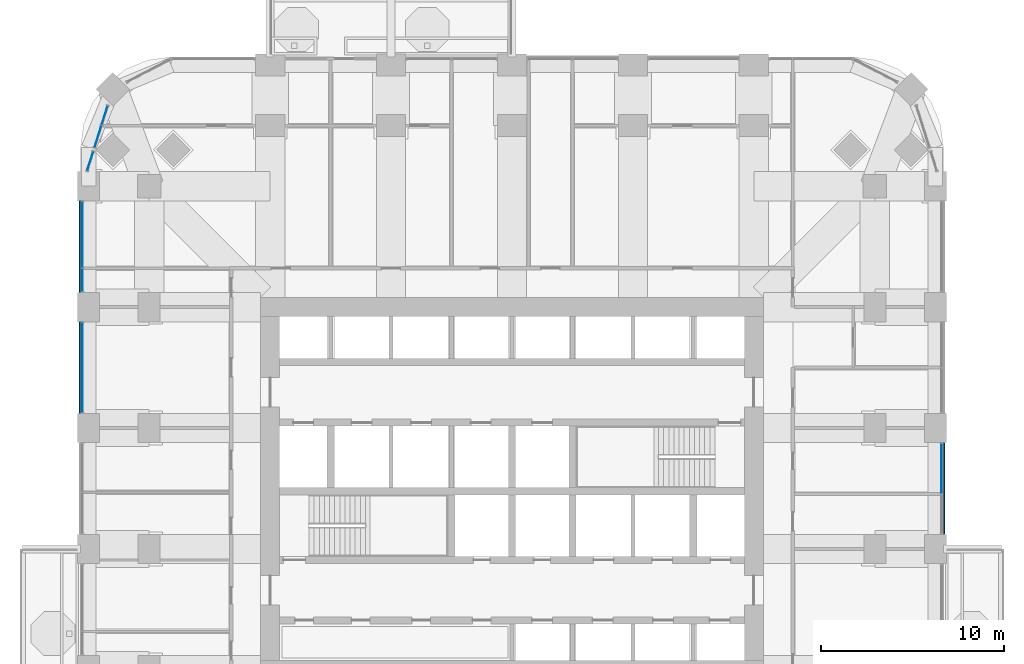
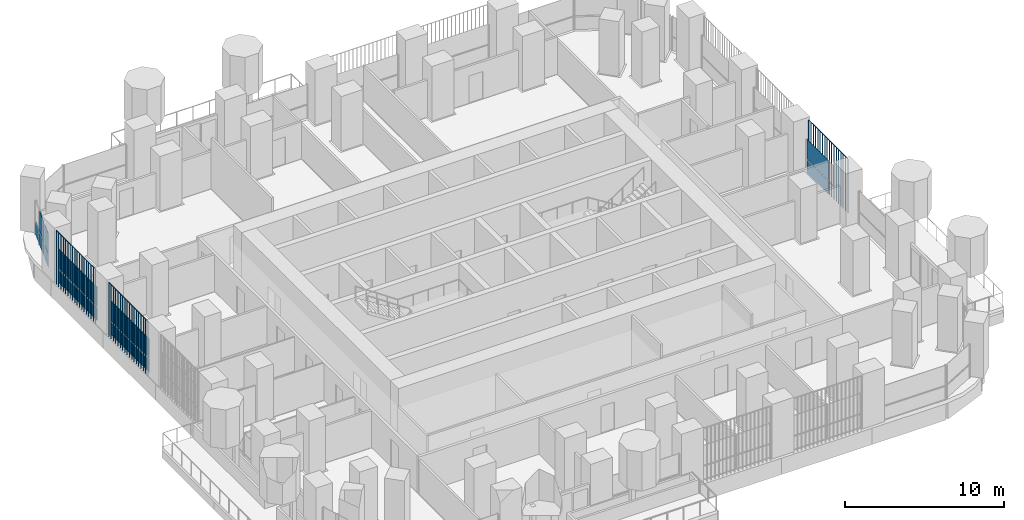
# One storey, part 10 of 21: 16 plates, 5 elements without a shape of their own.
"""IFC4 building model written with IfcOpenShell, lengths in metres."""

from ifc_helpers import new_model, si_unit, direction, frame, origin, origin_2d, place, context, subcontext, project, spatial, polyline, rectangle, outline, extrude, material, layer, layer_set, type_object, element, aggregate, save


model = new_model("IFC4")

# Units and contexts
model_context = context("Model", 3, precision=1e-05, world=origin(), true_north=direction((0.0, 1.0)))
body_context = subcontext(model_context, "Body", "Model", "MODEL_VIEW")
ifc_project = project(units=[si_unit("LENGTHUNIT", "METRE"), si_unit("AREAUNIT", "SQUARE_METRE"), si_unit("VOLUMEUNIT", "CUBIC_METRE"), si_unit("PLANEANGLEUNIT", "RADIAN"), si_unit("MASSUNIT", "GRAM", prefix="KILO")], contexts=[model_context])

# Site, building, storey
site_placement = place(None, origin())
site = spatial("IfcSite", under=ifc_project, at=site_placement, CompositionType="ELEMENT")
building_placement = place(site_placement, origin())
building = spatial("IfcBuilding", under=site, at=building_placement, Name="Cobogo Forest Laboratory Tower", CompositionType="ELEMENT")
storey_placement = place(building_placement, frame((0.0, 0.0, 141.0)))
storey = spatial("IfcBuildingStorey", under=building, at=storey_placement, Name="L32", CompositionType="ELEMENT", Elevation=141.0)

# Curtain wall, plates
ifc_material_1 = material(Name="Aluminium curtain wall", Category="aluminium")
curtain_wall_type = type_object("IfcCurtainWallType", Name="CW-1 unitised curtain wall, clear glazing, laboratory floors zones A and B", PredefinedType="USERDEFINED", material=ifc_material_1)
curtain_wall_1_placement = place(storey_placement, origin())
curtain_wall_1 = element("IfcCurtainWall", 1, at=curtain_wall_1_placement, inside=storey, type_object=curtain_wall_type, Name="Curtain wall 12 L32", ObjectType="UNITISED CURTAIN WALL", PredefinedType="USERDEFINED")
ifc_material_2 = material(Name="Clear insulated glass", Category="glass")
ifc_layer = layer(ifc_material_2, 0.028076171875)
ifc_layer_set = layer_set([ifc_layer], Name="GP-1 clear insulated glass unit 28")
plate_type_1 = type_object("IfcPlateType", Name="GP-1 clear insulated glass unit 28", PredefinedType="CURTAIN_PANEL", material=ifc_layer_set)
plate_1_placement = place(storey_placement, frame((49.85009765625, 24.18505859375, 0.0), z_axis=(0.0, 0.0, 1.0), x_axis=(0.0, 1.0, 0.0)))
plate_1 = element("IfcPlate", 2, at=plate_1_placement, type_object=plate_type_1, Name="CW-1 panel 2.1", PredefinedType="CURTAIN_PANEL", context=body_context, shape_type="SweptSolid", body=[
    extrude(rectangle(XDim=2.7099609375, YDim=0.028076171875, at=origin_2d()), origin(), (0.0, 0.0, 1.0), 1.02001953125),
])
plate_2_placement = place(storey_placement, frame((49.85009765625, 24.18505859375, 1.080078125), z_axis=(0.0, 0.0, 1.0), x_axis=(0.0, 1.0, 0.0)))
plate_2 = element("IfcPlate", 3, at=plate_2_placement, type_object=plate_type_1, Name="CW-1 panel 2.2", PredefinedType="CURTAIN_PANEL", context=body_context, shape_type="SweptSolid", body=[
    extrude(rectangle(XDim=2.7099609375, YDim=0.028076171875, at=origin_2d()), origin(), (0.0, 0.0, 1.0), 1.52001953125),
])
aggregate(curtain_wall_1, [plate_1, plate_2])

curtain_wall_2_placement = place(storey_placement, origin())
curtain_wall_2 = element("IfcCurtainWall", 4, at=curtain_wall_2_placement, inside=storey, type_object=curtain_wall_type, Name="Curtain wall 25 L32", ObjectType="UNITISED CURTAIN WALL", PredefinedType="USERDEFINED")
plate_3_placement = place(storey_placement, frame((4.171875, 43.469482421875, 0.0), z_axis=(0.0, 0.0, 1.0), x_axis=(-0.301135291996, -0.953581425949, 0.0)))
plate_3 = element("IfcPlate", 5, at=plate_3_placement, type_object=plate_type_1, Name="CW-1 panel 1.1", PredefinedType="CURTAIN_PANEL", context=body_context, shape_type="SweptSolid", body=[
    extrude(rectangle(XDim=1.083984375, YDim=0.028076171875, at=origin_2d()), origin(), (0.0, 0.0, 1.0), 1.02001953125),
])
plate_4_placement = place(storey_placement, frame((3.806396484375, 42.31201171875, 0.0), z_axis=(0.0, 0.0, 1.0), x_axis=(-0.301135291996, -0.953581425949, 0.0)))
plate_4 = element("IfcPlate", 6, at=plate_4_placement, type_object=plate_type_1, Name="CW-1 panel 2.1", PredefinedType="CURTAIN_PANEL", context=body_context, shape_type="SweptSolid", body=[
    extrude(rectangle(XDim=1.223876953125, YDim=0.028076171875, at=origin_2d()), origin(), (0.0, 0.0, 1.0), 1.02001953125),
])
plate_5_placement = place(storey_placement, frame((3.806396484375, 42.31201171875, 1.080078125), z_axis=(0.0, 0.0, 1.0), x_axis=(-0.301135291996, -0.953581425949, 0.0)))
plate_5 = element("IfcPlate", 7, at=plate_5_placement, type_object=plate_type_1, Name="CW-1 panel 2.2", PredefinedType="CURTAIN_PANEL", context=body_context, shape_type="SweptSolid", body=[
    extrude(rectangle(XDim=1.223876953125, YDim=0.028076171875, at=origin_2d()), origin(), (0.0, 0.0, 1.0), 1.52001953125),
])
aggregate(curtain_wall_2, [plate_3, plate_4, plate_5])

curtain_wall_3_placement = place(storey_placement, origin())
curtain_wall_3 = element("IfcCurtainWall", 8, at=curtain_wall_3_placement, inside=storey, type_object=curtain_wall_type, Name="Curtain wall 26 L32", ObjectType="UNITISED CURTAIN WALL", PredefinedType="USERDEFINED")
plate_6_placement = place(storey_placement, frame((3.3818359375, 40.9677734375, 0.0), z_axis=(0.0, 0.0, 1.0), x_axis=(-0.301135667865, -0.953581307252, 0.0)))
plate_6 = element("IfcPlate", 9, at=plate_6_placement, type_object=plate_type_1, Name="CW-1 panel 1.1", PredefinedType="CURTAIN_PANEL", context=body_context, shape_type="SweptSolid", body=[
    extrude(rectangle(XDim=1.071044921875, YDim=0.028076171875, at=origin_2d()), origin(), (0.0, 0.0, 1.0), 1.02001953125),
])
plate_7_placement = place(storey_placement, frame((3.3818359375, 40.9677734375, 1.080078125), z_axis=(0.0, 0.0, 1.0), x_axis=(-0.301135667865, -0.953581307252, 0.0)))
plate_7 = element("IfcPlate", 10, at=plate_7_placement, type_object=plate_type_1, Name="CW-1 panel 1.2", PredefinedType="CURTAIN_PANEL", context=body_context, shape_type="SweptSolid", body=[
    extrude(rectangle(XDim=1.071044921875, YDim=0.028076171875, at=origin_2d()), origin(), (0.0, 0.0, 1.0), 1.52001953125),
])
aggregate(curtain_wall_3, [plate_6, plate_7])

curtain_wall_4_placement = place(storey_placement, origin())
curtain_wall_4 = element("IfcCurtainWall", 11, at=curtain_wall_4_placement, inside=storey, type_object=curtain_wall_type, Name="Curtain wall 27 L32", ObjectType="UNITISED CURTAIN WALL", PredefinedType="USERDEFINED")
plate_8_placement = place(storey_placement, frame((2.949951171875, 36.947509765625, 0.0), z_axis=(0.0, 0.0, 1.0), x_axis=(0.0, -1.0, 0.0)))
plate_8 = element("IfcPlate", 12, at=plate_8_placement, type_object=plate_type_1, Name="CW-1 panel 1.1", PredefinedType="CURTAIN_PANEL", context=body_context, shape_type="SweptSolid", body=[
    extrude(rectangle(XDim=3.5849609375, YDim=0.028076171875, at=origin_2d()), origin(), (0.0, 0.0, 1.0), 1.02001953125),
])
plate_9_placement = place(storey_placement, frame((2.949951171875, 36.947509765625, 1.080078125), z_axis=(0.0, 0.0, 1.0), x_axis=(0.0, -1.0, 0.0)))
plate_9 = element("IfcPlate", 13, at=plate_9_placement, type_object=plate_type_1, Name="CW-1 panel 1.2", PredefinedType="CURTAIN_PANEL", context=body_context, shape_type="SweptSolid", body=[
    extrude(rectangle(XDim=3.5849609375, YDim=0.028076171875, at=origin_2d()), origin(), (0.0, 0.0, 1.0), 1.52001953125),
])
plate_10_placement = place(storey_placement, frame((2.949951171875, 34.4775390625, 0.0), z_axis=(0.0, 0.0, 1.0), x_axis=(0.0, -1.0, 0.0)))
plate_10 = element("IfcPlate", 14, at=plate_10_placement, type_object=plate_type_1, Name="CW-1 panel 2.1", PredefinedType="CURTAIN_PANEL", context=body_context, shape_type="SweptSolid", body=[
    extrude(rectangle(XDim=1.235107421875, YDim=0.028076171875, at=origin_2d()), origin(), (0.0, 0.0, 1.0), 1.02001953125),
])
plate_11_placement = place(storey_placement, frame((2.949951171875, 34.4775390625, 1.080078125), z_axis=(0.0, 0.0, 1.0), x_axis=(0.0, -1.0, 0.0)))
plate_11 = element("IfcPlate", 15, at=plate_11_placement, type_object=plate_type_1, Name="CW-1 panel 2.2", PredefinedType="CURTAIN_PANEL", context=body_context, shape_type="SweptSolid", body=[
    extrude(rectangle(XDim=1.235107421875, YDim=0.028076171875, at=origin_2d()), origin(), (0.0, 0.0, 1.0), 1.52001953125),
])
aggregate(curtain_wall_4, [plate_8, plate_9, plate_10, plate_11])

curtain_wall_5_placement = place(storey_placement, origin())
curtain_wall_5 = element("IfcCurtainWall", 16, at=curtain_wall_5_placement, inside=storey, type_object=curtain_wall_type, Name="Curtain wall 28 L32", ObjectType="UNITISED CURTAIN WALL", PredefinedType="USERDEFINED")
plate_12_placement = place(storey_placement, frame((2.949951171875, 29.699951171875, 0.0), z_axis=(0.0, 0.0, 1.0), x_axis=(0.0, -1.0, 0.0)))
plate_12 = element("IfcPlate", 17, at=plate_12_placement, type_object=plate_type_1, Name="CW-1 panel 1.1", PredefinedType="CURTAIN_PANEL", context=body_context, shape_type="SweptSolid", body=[
    extrude(rectangle(XDim=4.8798828125, YDim=0.028076171875, at=origin_2d()), origin(), (0.0, 0.0, 1.0), 1.02001953125),
])
plate_13_placement = place(storey_placement, frame((2.949951171875, 29.699951171875, 1.080078125), z_axis=(0.0, 0.0, 1.0), x_axis=(0.0, -1.0, 0.0)))
plate_13 = element("IfcPlate", 18, at=plate_13_placement, type_object=plate_type_1, Name="CW-1 panel 1.2", PredefinedType="CURTAIN_PANEL", context=body_context, shape_type="SweptSolid", body=[
    extrude(rectangle(XDim=4.8798828125, YDim=0.028076171875, at=origin_2d()), origin(), (0.0, 0.0, 1.0), 1.52001953125),
])
aggregate(curtain_wall_5, [plate_12, plate_13])

# Plates
ifc_material_3 = material(Name="Terracotta", Category="masonry")
plate_type_2 = type_object("IfcPlateType", Name="TB1 terracotta baguette screen", PredefinedType="USERDEFINED", material=ifc_material_3)
plate_14_placement = place(storey_placement, frame((49.977783203125, 20.63134765625, -0.14990234375)))
element("IfcPlate", 19, at=plate_14_placement, inside=storey, type_object=plate_type_2, Name="Baguette screen E3 L32", ObjectType="BAGUETTE SCREEN", PredefinedType="USERDEFINED", context=body_context, shape_type="SweptSolid", body=[
    extrude(outline(polyline([(0.02880859375, 0.011962890625), (0.011962890625, 0.02880859375), (-0.011962890625, 0.02880859375), (-0.02880859375, 0.011962890625), (-0.02880859375, -0.011962890625), (-0.011962890625, -0.02880859375), (0.011962890625, -0.02880859375), (0.02880859375, -0.011962890625), (0.02880859375, 0.011962890625)])), frame((0.0, 0.0, 4.168701171875), z_axis=(0.0, 1.0, 0.0), x_axis=(-1.0, 0.0, 0.0)), (0.0, 0.0, 1.0), 4.9375),
    extrude(outline(polyline([(0.02880859375, 0.011962890625), (0.011962890625, 0.02880859375), (-0.011962890625, 0.02880859375), (-0.02880859375, 0.011962890625), (-0.02880859375, -0.011962890625), (-0.011962890625, -0.02880859375), (0.011962890625, -0.02880859375), (0.02880859375, -0.011962890625), (0.02880859375, 0.011962890625)])), origin(), (0.0, 0.0, 1.0), 4.137451171875),
    extrude(outline(polyline([(0.02880859375, 0.011962890625), (0.011962890625, 0.02880859375), (-0.011962890625, 0.02880859375), (-0.02880859375, 0.011962890625), (-0.02880859375, -0.011962890625), (-0.011962890625, -0.02880859375), (0.011962890625, -0.02880859375), (0.02880859375, -0.011962890625), (0.02880859375, 0.011962890625)])), frame((0.0, 0.29052734375, 0.0)), (0.0, 0.0, 1.0), 4.137451171875),
    extrude(outline(polyline([(0.02880859375, 0.011962890625), (0.011962890625, 0.02880859375), (-0.011962890625, 0.02880859375), (-0.02880859375, 0.011962890625), (-0.02880859375, -0.011962890625), (-0.011962890625, -0.02880859375), (0.011962890625, -0.02880859375), (0.02880859375, -0.011962890625), (0.02880859375, 0.011962890625)])), frame((0.0, 0.580810546875, 0.0)), (0.0, 0.0, 1.0), 4.137451171875),
    extrude(outline(polyline([(0.02880859375, 0.011962890625), (0.011962890625, 0.02880859375), (-0.011962890625, 0.02880859375), (-0.02880859375, 0.011962890625), (-0.02880859375, -0.011962890625), (-0.011962890625, -0.02880859375), (0.011962890625, -0.02880859375), (0.02880859375, -0.011962890625), (0.02880859375, 0.011962890625)])), frame((0.0, 0.871337890625, 0.0)), (0.0, 0.0, 1.0), 4.137451171875),
    extrude(outline(polyline([(0.02880859375, 0.011962890625), (0.011962890625, 0.02880859375), (-0.011962890625, 0.02880859375), (-0.02880859375, 0.011962890625), (-0.02880859375, -0.011962890625), (-0.011962890625, -0.02880859375), (0.011962890625, -0.02880859375), (0.02880859375, -0.011962890625), (0.02880859375, 0.011962890625)])), frame((0.0, 1.161865234375, 0.0)), (0.0, 0.0, 1.0), 4.137451171875),
    extrude(outline(polyline([(0.02880859375, 0.011962890625), (0.011962890625, 0.02880859375), (-0.011962890625, 0.02880859375), (-0.02880859375, 0.011962890625), (-0.02880859375, -0.011962890625), (-0.011962890625, -0.02880859375), (0.011962890625, -0.02880859375), (0.02880859375, -0.011962890625), (0.02880859375, 0.011962890625)])), frame((0.0, 1.4521484375, 0.0)), (0.0, 0.0, 1.0), 4.137451171875),
    extrude(outline(polyline([(0.02880859375, 0.011962890625), (0.011962890625, 0.02880859375), (-0.011962890625, 0.02880859375), (-0.02880859375, 0.011962890625), (-0.02880859375, -0.011962890625), (-0.011962890625, -0.02880859375), (0.011962890625, -0.02880859375), (0.02880859375, -0.011962890625), (0.02880859375, 0.011962890625)])), frame((0.0, 1.74267578125, 0.0)), (0.0, 0.0, 1.0), 4.137451171875),
    extrude(outline(polyline([(0.02880859375, 0.011962890625), (0.011962890625, 0.02880859375), (-0.011962890625, 0.02880859375), (-0.02880859375, 0.011962890625), (-0.02880859375, -0.011962890625), (-0.011962890625, -0.02880859375), (0.011962890625, -0.02880859375), (0.02880859375, -0.011962890625), (0.02880859375, 0.011962890625)])), frame((0.0, 2.033203125, 0.0)), (0.0, 0.0, 1.0), 4.137451171875),
    extrude(outline(polyline([(0.02880859375, 0.011962890625), (0.011962890625, 0.02880859375), (-0.011962890625, 0.02880859375), (-0.02880859375, 0.011962890625), (-0.02880859375, -0.011962890625), (-0.011962890625, -0.02880859375), (0.011962890625, -0.02880859375), (0.02880859375, -0.011962890625), (0.02880859375, 0.011962890625)])), frame((0.0, 2.323486328125, 0.0)), (0.0, 0.0, 1.0), 4.137451171875),
    extrude(outline(polyline([(0.02880859375, 0.011962890625), (0.011962890625, 0.02880859375), (-0.011962890625, 0.02880859375), (-0.02880859375, 0.011962890625), (-0.02880859375, -0.011962890625), (-0.011962890625, -0.02880859375), (0.011962890625, -0.02880859375), (0.02880859375, -0.011962890625), (0.02880859375, 0.011962890625)])), frame((0.0, 2.614013671875, 0.0)), (0.0, 0.0, 1.0), 4.137451171875),
    extrude(outline(polyline([(0.02880859375, 0.011962890625), (0.011962890625, 0.02880859375), (-0.011962890625, 0.02880859375), (-0.02880859375, 0.011962890625), (-0.02880859375, -0.011962890625), (-0.011962890625, -0.02880859375), (0.011962890625, -0.02880859375), (0.02880859375, -0.011962890625), (0.02880859375, 0.011962890625)])), frame((0.0, 2.904296875, 0.0)), (0.0, 0.0, 1.0), 4.137451171875),
    extrude(outline(polyline([(0.02880859375, 0.011962890625), (0.011962890625, 0.02880859375), (-0.011962890625, 0.02880859375), (-0.02880859375, 0.011962890625), (-0.02880859375, -0.011962890625), (-0.011962890625, -0.02880859375), (0.011962890625, -0.02880859375), (0.02880859375, -0.011962890625), (0.02880859375, 0.011962890625)])), frame((0.0, 3.19482421875, 0.0)), (0.0, 0.0, 1.0), 4.137451171875),
    extrude(outline(polyline([(0.02880859375, 0.011962890625), (0.011962890625, 0.02880859375), (-0.011962890625, 0.02880859375), (-0.02880859375, 0.011962890625), (-0.02880859375, -0.011962890625), (-0.011962890625, -0.02880859375), (0.011962890625, -0.02880859375), (0.02880859375, -0.011962890625), (0.02880859375, 0.011962890625)])), frame((0.0, 3.4853515625, 0.0)), (0.0, 0.0, 1.0), 4.137451171875),
    extrude(outline(polyline([(0.02880859375, 0.011962890625), (0.011962890625, 0.02880859375), (-0.011962890625, 0.02880859375), (-0.02880859375, 0.011962890625), (-0.02880859375, -0.011962890625), (-0.011962890625, -0.02880859375), (0.011962890625, -0.02880859375), (0.02880859375, -0.011962890625), (0.02880859375, 0.011962890625)])), frame((0.0, 3.775634765625, 0.0)), (0.0, 0.0, 1.0), 4.137451171875),
    extrude(outline(polyline([(0.02880859375, 0.011962890625), (0.011962890625, 0.02880859375), (-0.011962890625, 0.02880859375), (-0.02880859375, 0.011962890625), (-0.02880859375, -0.011962890625), (-0.011962890625, -0.02880859375), (0.011962890625, -0.02880859375), (0.02880859375, -0.011962890625), (0.02880859375, 0.011962890625)])), frame((0.0, 4.066162109375, 0.0)), (0.0, 0.0, 1.0), 4.137451171875),
    extrude(outline(polyline([(0.02880859375, 0.011962890625), (0.011962890625, 0.02880859375), (-0.011962890625, 0.02880859375), (-0.02880859375, 0.011962890625), (-0.02880859375, -0.011962890625), (-0.011962890625, -0.02880859375), (0.011962890625, -0.02880859375), (0.02880859375, -0.011962890625), (0.02880859375, 0.011962890625)])), frame((0.0, 4.356689453125, 0.0)), (0.0, 0.0, 1.0), 4.137451171875),
    extrude(outline(polyline([(0.02880859375, 0.011962890625), (0.011962890625, 0.02880859375), (-0.011962890625, 0.02880859375), (-0.02880859375, 0.011962890625), (-0.02880859375, -0.011962890625), (-0.011962890625, -0.02880859375), (0.011962890625, -0.02880859375), (0.02880859375, -0.011962890625), (0.02880859375, 0.011962890625)])), frame((0.0, 4.64697265625, 0.0)), (0.0, 0.0, 1.0), 4.137451171875),
    extrude(outline(polyline([(0.02880859375, 0.011962890625), (0.011962890625, 0.02880859375), (-0.011962890625, 0.02880859375), (-0.02880859375, 0.011962890625), (-0.02880859375, -0.011962890625), (-0.011962890625, -0.02880859375), (0.011962890625, -0.02880859375), (0.02880859375, -0.011962890625), (0.02880859375, 0.011962890625)])), frame((0.0, 4.9375, 0.0)), (0.0, 0.0, 1.0), 4.137451171875),
])
plate_15_placement = place(storey_placement, frame((2.822021484375, 27.231201171875, -0.14990234375)))
element("IfcPlate", 20, at=plate_15_placement, inside=storey, type_object=plate_type_2, Name="Baguette screen W4 L32", ObjectType="BAGUETTE SCREEN", PredefinedType="USERDEFINED", context=body_context, shape_type="SweptSolid", body=[
    extrude(outline(polyline([(0.02880859375, 0.011962890625), (0.011962890625, 0.02880859375), (-0.011962890625, 0.02880859375), (-0.02880859375, 0.011962890625), (-0.02880859375, -0.011962890625), (-0.011962890625, -0.02880859375), (0.011962890625, -0.02880859375), (0.02880859375, -0.011962890625), (0.02880859375, 0.011962890625)])), frame((0.0, 0.0, 4.168701171875), z_axis=(0.0, 1.0, 0.0), x_axis=(-1.0, 0.0, 0.0)), (0.0, 0.0, 1.0), 4.9375),
    extrude(outline(polyline([(0.02880859375, 0.011962890625), (0.011962890625, 0.02880859375), (-0.011962890625, 0.02880859375), (-0.02880859375, 0.011962890625), (-0.02880859375, -0.011962890625), (-0.011962890625, -0.02880859375), (0.011962890625, -0.02880859375), (0.02880859375, -0.011962890625), (0.02880859375, 0.011962890625)])), origin(), (0.0, 0.0, 1.0), 4.137451171875),
    extrude(outline(polyline([(0.02880859375, 0.011962890625), (0.011962890625, 0.02880859375), (-0.011962890625, 0.02880859375), (-0.02880859375, 0.011962890625), (-0.02880859375, -0.011962890625), (-0.011962890625, -0.02880859375), (0.011962890625, -0.02880859375), (0.02880859375, -0.011962890625), (0.02880859375, 0.011962890625)])), frame((0.0, 0.29052734375, 0.0)), (0.0, 0.0, 1.0), 4.137451171875),
    extrude(outline(polyline([(0.02880859375, 0.011962890625), (0.011962890625, 0.02880859375), (-0.011962890625, 0.02880859375), (-0.02880859375, 0.011962890625), (-0.02880859375, -0.011962890625), (-0.011962890625, -0.02880859375), (0.011962890625, -0.02880859375), (0.02880859375, -0.011962890625), (0.02880859375, 0.011962890625)])), frame((0.0, 0.580810546875, 0.0)), (0.0, 0.0, 1.0), 4.137451171875),
    extrude(outline(polyline([(0.02880859375, 0.011962890625), (0.011962890625, 0.02880859375), (-0.011962890625, 0.02880859375), (-0.02880859375, 0.011962890625), (-0.02880859375, -0.011962890625), (-0.011962890625, -0.02880859375), (0.011962890625, -0.02880859375), (0.02880859375, -0.011962890625), (0.02880859375, 0.011962890625)])), frame((0.0, 0.871337890625, 0.0)), (0.0, 0.0, 1.0), 4.137451171875),
    extrude(outline(polyline([(0.02880859375, 0.011962890625), (0.011962890625, 0.02880859375), (-0.011962890625, 0.02880859375), (-0.02880859375, 0.011962890625), (-0.02880859375, -0.011962890625), (-0.011962890625, -0.02880859375), (0.011962890625, -0.02880859375), (0.02880859375, -0.011962890625), (0.02880859375, 0.011962890625)])), frame((0.0, 1.161865234375, 0.0)), (0.0, 0.0, 1.0), 4.137451171875),
    extrude(outline(polyline([(0.02880859375, 0.011962890625), (0.011962890625, 0.02880859375), (-0.011962890625, 0.02880859375), (-0.02880859375, 0.011962890625), (-0.02880859375, -0.011962890625), (-0.011962890625, -0.02880859375), (0.011962890625, -0.02880859375), (0.02880859375, -0.011962890625), (0.02880859375, 0.011962890625)])), frame((0.0, 1.4521484375, 0.0)), (0.0, 0.0, 1.0), 4.137451171875),
    extrude(outline(polyline([(0.02880859375, 0.011962890625), (0.011962890625, 0.02880859375), (-0.011962890625, 0.02880859375), (-0.02880859375, 0.011962890625), (-0.02880859375, -0.011962890625), (-0.011962890625, -0.02880859375), (0.011962890625, -0.02880859375), (0.02880859375, -0.011962890625), (0.02880859375, 0.011962890625)])), frame((0.0, 1.74267578125, 0.0)), (0.0, 0.0, 1.0), 4.137451171875),
    extrude(outline(polyline([(0.02880859375, 0.011962890625), (0.011962890625, 0.02880859375), (-0.011962890625, 0.02880859375), (-0.02880859375, 0.011962890625), (-0.02880859375, -0.011962890625), (-0.011962890625, -0.02880859375), (0.011962890625, -0.02880859375), (0.02880859375, -0.011962890625), (0.02880859375, 0.011962890625)])), frame((0.0, 2.033203125, 0.0)), (0.0, 0.0, 1.0), 4.137451171875),
    extrude(outline(polyline([(0.02880859375, 0.011962890625), (0.011962890625, 0.02880859375), (-0.011962890625, 0.02880859375), (-0.02880859375, 0.011962890625), (-0.02880859375, -0.011962890625), (-0.011962890625, -0.02880859375), (0.011962890625, -0.02880859375), (0.02880859375, -0.011962890625), (0.02880859375, 0.011962890625)])), frame((0.0, 2.323486328125, 0.0)), (0.0, 0.0, 1.0), 4.137451171875),
    extrude(outline(polyline([(0.02880859375, 0.011962890625), (0.011962890625, 0.02880859375), (-0.011962890625, 0.02880859375), (-0.02880859375, 0.011962890625), (-0.02880859375, -0.011962890625), (-0.011962890625, -0.02880859375), (0.011962890625, -0.02880859375), (0.02880859375, -0.011962890625), (0.02880859375, 0.011962890625)])), frame((0.0, 2.614013671875, 0.0)), (0.0, 0.0, 1.0), 4.137451171875),
    extrude(outline(polyline([(0.02880859375, 0.011962890625), (0.011962890625, 0.02880859375), (-0.011962890625, 0.02880859375), (-0.02880859375, 0.011962890625), (-0.02880859375, -0.011962890625), (-0.011962890625, -0.02880859375), (0.011962890625, -0.02880859375), (0.02880859375, -0.011962890625), (0.02880859375, 0.011962890625)])), frame((0.0, 2.904296875, 0.0)), (0.0, 0.0, 1.0), 4.137451171875),
    extrude(outline(polyline([(0.02880859375, 0.011962890625), (0.011962890625, 0.02880859375), (-0.011962890625, 0.02880859375), (-0.02880859375, 0.011962890625), (-0.02880859375, -0.011962890625), (-0.011962890625, -0.02880859375), (0.011962890625, -0.02880859375), (0.02880859375, -0.011962890625), (0.02880859375, 0.011962890625)])), frame((0.0, 3.19482421875, 0.0)), (0.0, 0.0, 1.0), 4.137451171875),
    extrude(outline(polyline([(0.02880859375, 0.011962890625), (0.011962890625, 0.02880859375), (-0.011962890625, 0.02880859375), (-0.02880859375, 0.011962890625), (-0.02880859375, -0.011962890625), (-0.011962890625, -0.02880859375), (0.011962890625, -0.02880859375), (0.02880859375, -0.011962890625), (0.02880859375, 0.011962890625)])), frame((0.0, 3.4853515625, 0.0)), (0.0, 0.0, 1.0), 4.137451171875),
    extrude(outline(polyline([(0.02880859375, 0.011962890625), (0.011962890625, 0.02880859375), (-0.011962890625, 0.02880859375), (-0.02880859375, 0.011962890625), (-0.02880859375, -0.011962890625), (-0.011962890625, -0.02880859375), (0.011962890625, -0.02880859375), (0.02880859375, -0.011962890625), (0.02880859375, 0.011962890625)])), frame((0.0, 3.775634765625, 0.0)), (0.0, 0.0, 1.0), 4.137451171875),
    extrude(outline(polyline([(0.02880859375, 0.011962890625), (0.011962890625, 0.02880859375), (-0.011962890625, 0.02880859375), (-0.02880859375, 0.011962890625), (-0.02880859375, -0.011962890625), (-0.011962890625, -0.02880859375), (0.011962890625, -0.02880859375), (0.02880859375, -0.011962890625), (0.02880859375, 0.011962890625)])), frame((0.0, 4.066162109375, 0.0)), (0.0, 0.0, 1.0), 4.137451171875),
    extrude(outline(polyline([(0.02880859375, 0.011962890625), (0.011962890625, 0.02880859375), (-0.011962890625, 0.02880859375), (-0.02880859375, 0.011962890625), (-0.02880859375, -0.011962890625), (-0.011962890625, -0.02880859375), (0.011962890625, -0.02880859375), (0.02880859375, -0.011962890625), (0.02880859375, 0.011962890625)])), frame((0.0, 4.356689453125, 0.0)), (0.0, 0.0, 1.0), 4.137451171875),
    extrude(outline(polyline([(0.02880859375, 0.011962890625), (0.011962890625, 0.02880859375), (-0.011962890625, 0.02880859375), (-0.02880859375, 0.011962890625), (-0.02880859375, -0.011962890625), (-0.011962890625, -0.02880859375), (0.011962890625, -0.02880859375), (0.02880859375, -0.011962890625), (0.02880859375, 0.011962890625)])), frame((0.0, 4.64697265625, 0.0)), (0.0, 0.0, 1.0), 4.137451171875),
    extrude(outline(polyline([(0.02880859375, 0.011962890625), (0.011962890625, 0.02880859375), (-0.011962890625, 0.02880859375), (-0.02880859375, 0.011962890625), (-0.02880859375, -0.011962890625), (-0.011962890625, -0.02880859375), (0.011962890625, -0.02880859375), (0.02880859375, -0.011962890625), (0.02880859375, 0.011962890625)])), frame((0.0, 4.9375, 0.0)), (0.0, 0.0, 1.0), 4.137451171875),
])
plate_16_placement = place(storey_placement, frame((2.822021484375, 33.831298828125, -0.14990234375)))
element("IfcPlate", 21, at=plate_16_placement, inside=storey, type_object=plate_type_2, Name="Baguette screen W5 L32", ObjectType="BAGUETTE SCREEN", PredefinedType="USERDEFINED", context=body_context, shape_type="SweptSolid", body=[
    extrude(outline(polyline([(0.02880859375, 0.011962890625), (0.011962890625, 0.02880859375), (-0.011962890625, 0.02880859375), (-0.02880859375, 0.011962890625), (-0.02880859375, -0.011962890625), (-0.011962890625, -0.02880859375), (0.011962890625, -0.02880859375), (0.02880859375, -0.011962890625), (0.02880859375, 0.011962890625)])), frame((0.0, 0.0, 4.168701171875), z_axis=(0.0, 1.0, 0.0), x_axis=(-1.0, 0.0, 0.0)), (0.0, 0.0, 1.0), 4.9375),
    extrude(outline(polyline([(0.02880859375, 0.011962890625), (0.011962890625, 0.02880859375), (-0.011962890625, 0.02880859375), (-0.02880859375, 0.011962890625), (-0.02880859375, -0.011962890625), (-0.011962890625, -0.02880859375), (0.011962890625, -0.02880859375), (0.02880859375, -0.011962890625), (0.02880859375, 0.011962890625)])), origin(), (0.0, 0.0, 1.0), 4.137451171875),
    extrude(outline(polyline([(0.02880859375, 0.011962890625), (0.011962890625, 0.02880859375), (-0.011962890625, 0.02880859375), (-0.02880859375, 0.011962890625), (-0.02880859375, -0.011962890625), (-0.011962890625, -0.02880859375), (0.011962890625, -0.02880859375), (0.02880859375, -0.011962890625), (0.02880859375, 0.011962890625)])), frame((0.0, 0.29052734375, 0.0)), (0.0, 0.0, 1.0), 4.137451171875),
    extrude(outline(polyline([(0.02880859375, 0.011962890625), (0.011962890625, 0.02880859375), (-0.011962890625, 0.02880859375), (-0.02880859375, 0.011962890625), (-0.02880859375, -0.011962890625), (-0.011962890625, -0.02880859375), (0.011962890625, -0.02880859375), (0.02880859375, -0.011962890625), (0.02880859375, 0.011962890625)])), frame((0.0, 0.580810546875, 0.0)), (0.0, 0.0, 1.0), 4.137451171875),
    extrude(outline(polyline([(0.02880859375, 0.011962890625), (0.011962890625, 0.02880859375), (-0.011962890625, 0.02880859375), (-0.02880859375, 0.011962890625), (-0.02880859375, -0.011962890625), (-0.011962890625, -0.02880859375), (0.011962890625, -0.02880859375), (0.02880859375, -0.011962890625), (0.02880859375, 0.011962890625)])), frame((0.0, 0.871337890625, 0.0)), (0.0, 0.0, 1.0), 4.137451171875),
    extrude(outline(polyline([(0.02880859375, 0.011962890625), (0.011962890625, 0.02880859375), (-0.011962890625, 0.02880859375), (-0.02880859375, 0.011962890625), (-0.02880859375, -0.011962890625), (-0.011962890625, -0.02880859375), (0.011962890625, -0.02880859375), (0.02880859375, -0.011962890625), (0.02880859375, 0.011962890625)])), frame((0.0, 1.161865234375, 0.0)), (0.0, 0.0, 1.0), 4.137451171875),
    extrude(outline(polyline([(0.02880859375, 0.011962890625), (0.011962890625, 0.02880859375), (-0.011962890625, 0.02880859375), (-0.02880859375, 0.011962890625), (-0.02880859375, -0.011962890625), (-0.011962890625, -0.02880859375), (0.011962890625, -0.02880859375), (0.02880859375, -0.011962890625), (0.02880859375, 0.011962890625)])), frame((0.0, 1.4521484375, 0.0)), (0.0, 0.0, 1.0), 4.137451171875),
    extrude(outline(polyline([(0.02880859375, 0.011962890625), (0.011962890625, 0.02880859375), (-0.011962890625, 0.02880859375), (-0.02880859375, 0.011962890625), (-0.02880859375, -0.011962890625), (-0.011962890625, -0.02880859375), (0.011962890625, -0.02880859375), (0.02880859375, -0.011962890625), (0.02880859375, 0.011962890625)])), frame((0.0, 1.74267578125, 0.0)), (0.0, 0.0, 1.0), 4.137451171875),
    extrude(outline(polyline([(0.02880859375, 0.011962890625), (0.011962890625, 0.02880859375), (-0.011962890625, 0.02880859375), (-0.02880859375, 0.011962890625), (-0.02880859375, -0.011962890625), (-0.011962890625, -0.02880859375), (0.011962890625, -0.02880859375), (0.02880859375, -0.011962890625), (0.02880859375, 0.011962890625)])), frame((0.0, 2.033203125, 0.0)), (0.0, 0.0, 1.0), 4.137451171875),
    extrude(outline(polyline([(0.02880859375, 0.011962890625), (0.011962890625, 0.02880859375), (-0.011962890625, 0.02880859375), (-0.02880859375, 0.011962890625), (-0.02880859375, -0.011962890625), (-0.011962890625, -0.02880859375), (0.011962890625, -0.02880859375), (0.02880859375, -0.011962890625), (0.02880859375, 0.011962890625)])), frame((0.0, 2.323486328125, 0.0)), (0.0, 0.0, 1.0), 4.137451171875),
    extrude(outline(polyline([(0.02880859375, 0.011962890625), (0.011962890625, 0.02880859375), (-0.011962890625, 0.02880859375), (-0.02880859375, 0.011962890625), (-0.02880859375, -0.011962890625), (-0.011962890625, -0.02880859375), (0.011962890625, -0.02880859375), (0.02880859375, -0.011962890625), (0.02880859375, 0.011962890625)])), frame((0.0, 2.614013671875, 0.0)), (0.0, 0.0, 1.0), 4.137451171875),
    extrude(outline(polyline([(0.02880859375, 0.011962890625), (0.011962890625, 0.02880859375), (-0.011962890625, 0.02880859375), (-0.02880859375, 0.011962890625), (-0.02880859375, -0.011962890625), (-0.011962890625, -0.02880859375), (0.011962890625, -0.02880859375), (0.02880859375, -0.011962890625), (0.02880859375, 0.011962890625)])), frame((0.0, 2.904296875, 0.0)), (0.0, 0.0, 1.0), 4.137451171875),
    extrude(outline(polyline([(0.02880859375, 0.011962890625), (0.011962890625, 0.02880859375), (-0.011962890625, 0.02880859375), (-0.02880859375, 0.011962890625), (-0.02880859375, -0.011962890625), (-0.011962890625, -0.02880859375), (0.011962890625, -0.02880859375), (0.02880859375, -0.011962890625), (0.02880859375, 0.011962890625)])), frame((0.0, 3.19482421875, 0.0)), (0.0, 0.0, 1.0), 4.137451171875),
    extrude(outline(polyline([(0.02880859375, 0.011962890625), (0.011962890625, 0.02880859375), (-0.011962890625, 0.02880859375), (-0.02880859375, 0.011962890625), (-0.02880859375, -0.011962890625), (-0.011962890625, -0.02880859375), (0.011962890625, -0.02880859375), (0.02880859375, -0.011962890625), (0.02880859375, 0.011962890625)])), frame((0.0, 3.4853515625, 0.0)), (0.0, 0.0, 1.0), 4.137451171875),
    extrude(outline(polyline([(0.02880859375, 0.011962890625), (0.011962890625, 0.02880859375), (-0.011962890625, 0.02880859375), (-0.02880859375, 0.011962890625), (-0.02880859375, -0.011962890625), (-0.011962890625, -0.02880859375), (0.011962890625, -0.02880859375), (0.02880859375, -0.011962890625), (0.02880859375, 0.011962890625)])), frame((0.0, 3.775634765625, 0.0)), (0.0, 0.0, 1.0), 4.137451171875),
    extrude(outline(polyline([(0.02880859375, 0.011962890625), (0.011962890625, 0.02880859375), (-0.011962890625, 0.02880859375), (-0.02880859375, 0.011962890625), (-0.02880859375, -0.011962890625), (-0.011962890625, -0.02880859375), (0.011962890625, -0.02880859375), (0.02880859375, -0.011962890625), (0.02880859375, 0.011962890625)])), frame((0.0, 4.066162109375, 0.0)), (0.0, 0.0, 1.0), 4.137451171875),
    extrude(outline(polyline([(0.02880859375, 0.011962890625), (0.011962890625, 0.02880859375), (-0.011962890625, 0.02880859375), (-0.02880859375, 0.011962890625), (-0.02880859375, -0.011962890625), (-0.011962890625, -0.02880859375), (0.011962890625, -0.02880859375), (0.02880859375, -0.011962890625), (0.02880859375, 0.011962890625)])), frame((0.0, 4.356689453125, 0.0)), (0.0, 0.0, 1.0), 4.137451171875),
    extrude(outline(polyline([(0.02880859375, 0.011962890625), (0.011962890625, 0.02880859375), (-0.011962890625, 0.02880859375), (-0.02880859375, 0.011962890625), (-0.02880859375, -0.011962890625), (-0.011962890625, -0.02880859375), (0.011962890625, -0.02880859375), (0.02880859375, -0.011962890625), (0.02880859375, 0.011962890625)])), frame((0.0, 4.64697265625, 0.0)), (0.0, 0.0, 1.0), 4.137451171875),
    extrude(outline(polyline([(0.02880859375, 0.011962890625), (0.011962890625, 0.02880859375), (-0.011962890625, 0.02880859375), (-0.02880859375, 0.011962890625), (-0.02880859375, -0.011962890625), (-0.011962890625, -0.02880859375), (0.011962890625, -0.02880859375), (0.02880859375, -0.011962890625), (0.02880859375, 0.011962890625)])), frame((0.0, 4.9375, 0.0)), (0.0, 0.0, 1.0), 4.137451171875),
])

save(model, "model.ifc")
